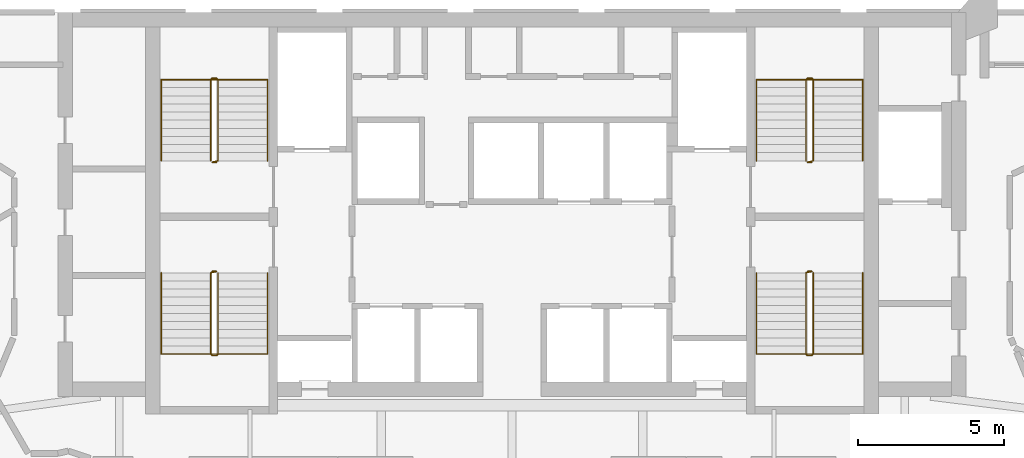
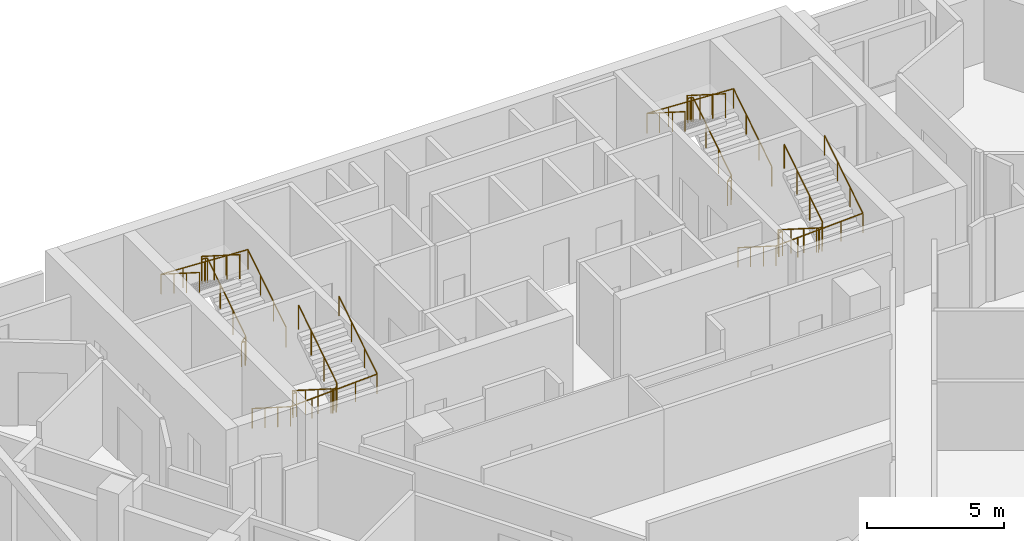
# One storey, part 9 of 9: 8 railings.
"""IFC4 building model written with IfcOpenShell, lengths in metres."""

from ifc_helpers import new_model, si_unit, direction, frame, origin, origin_2d, place, context, subcontext, project, spatial, circle, extrude, material, type_object, element, save


model = new_model("IFC4")

# Units and contexts
model_context = context("Model", 3, precision=1e-05, world=origin(), true_north=direction((0.0, 1.0)))
body_context = subcontext(model_context, "Body", "Model", "MODEL_VIEW")
ifc_project = project(units=[si_unit("LENGTHUNIT", "METRE"), si_unit("AREAUNIT", "SQUARE_METRE"), si_unit("VOLUMEUNIT", "CUBIC_METRE"), si_unit("PLANEANGLEUNIT", "RADIAN"), si_unit("MASSUNIT", "GRAM", prefix="KILO")], contexts=[model_context])

# Site, building, storey
site_placement = place(None, origin())
site = spatial("IfcSite", under=ifc_project, at=site_placement, CompositionType="ELEMENT")
building_placement = place(site_placement, origin())
building = spatial("IfcBuilding", under=site, at=building_placement, Name="Calabash Gate Tower", CompositionType="ELEMENT")
storey_placement = place(building_placement, frame((0.0, 0.0, 168.0)))
storey = spatial("IfcBuildingStorey", under=building, at=storey_placement, Name="L39", CompositionType="ELEMENT", Elevation=168.0)

# Railings
ifc_material_1 = material(Name="Black powder-coated steel balusters", Category="steel")
railing_type_1 = type_object("IfcRailingType", Name="Stair guard RL1100", PredefinedType="GUARDRAIL", material=ifc_material_1)
railing_1_placement = place(storey_placement, frame((-10.14990234375, 13.902587890625, 0.0)))
element("IfcRailing", 1, at=railing_1_placement, inside=storey, type_object=railing_type_1, Name="L39 ST1 stair guard 1", PredefinedType="GUARDRAIL", context=body_context, shape_type="SweptSolid", body=[
    extrude(circle(Radius=0.02392578125, at=origin_2d()), frame((0.0, 0.0, 1.076171875), z_axis=(-1.0, 0.0, 0.0), x_axis=(0.0, -1.0, 0.0)), (0.0, 0.0, 1.0), 0.150146484375),
    extrude(circle(Radius=0.02392578125, at=origin_2d()), frame((-0.150146484375, 0.0, 1.076171875), z_axis=(0.735524641326, 0.184105679453, 0.652003528208), x_axis=(-0.242814311512, 0.970072785993, 0.0)), (0.0, 0.0, 1.0), 0.271728515625),
    extrude(circle(Radius=0.02392578125, at=origin_2d()), frame((0.0498046875, 0.050048828125, 1.25341796875), z_axis=(0.0, 0.844041424197, 0.536277982245), x_axis=(-1.0, 0.0, 0.0)), (0.0, 0.0, 1.0), 3.3056640625),
    extrude(circle(Radius=0.02392578125, at=origin_2d()), frame((0.0498046875, 2.840087890625, 3.02587890625), z_axis=(-0.707106781187, 0.707106781187, 0.0), x_axis=(-0.707106781187, -0.707106781187, 0.0)), (0.0, 0.0, 1.0), 0.0703125),
    extrude(circle(Radius=0.02392578125, at=origin_2d()), frame((0.0, 2.889892578125, 3.02587890625), z_axis=(-1.0, 0.0, 0.0), x_axis=(0.0, -1.0, 0.0)), (0.0, 0.0, 1.0), 0.150146484375),
    extrude(circle(Radius=0.02392578125, at=origin_2d()), frame((-0.150146484375, 2.889892578125, 3.02587890625), z_axis=(-0.262321481514, -0.261041864531, 0.929001929653), x_axis=(0.705375805398, -0.708833529934, 0.0)), (0.0, 0.0, 1.0), 0.190673828125),
    extrude(circle(Radius=0.02392578125, at=origin_2d()), frame((-0.2001953125, 2.840087890625, 3.203125), z_axis=(0.0, -0.844041424197, 0.536277982245), x_axis=(1.0, 0.0, 0.0)), (0.0, 0.0, 1.0), 3.3056640625),
    extrude(circle(Radius=0.02099609375, at=origin_2d()), origin(), (0.0, 0.0, 1.0), 1.052001953125),
    extrude(circle(Radius=0.02099609375, at=origin_2d()), frame((-0.150146484375, 0.0, 0.0)), (0.0, 0.0, 1.0), 1.052001953125),
    extrude(circle(Radius=0.02099609375, at=origin_2d()), frame((0.0498046875, 0.050048828125, 0.17724609375)), (0.0, 0.0, 1.0), 1.052001953125),
    extrude(circle(Radius=0.02099609375, at=origin_2d()), frame((0.0498046875, 0.97998046875, 0.76806640625)), (0.0, 0.0, 1.0), 1.052001953125),
    extrude(circle(Radius=0.02099609375, at=origin_2d()), frame((0.0498046875, 1.91015625, 1.359130859375)), (0.0, 0.0, 1.0), 1.052001953125),
    extrude(circle(Radius=0.02099609375, at=origin_2d()), frame((0.0498046875, 2.840087890625, 1.949951171875)), (0.0, 0.0, 1.0), 1.052001953125),
    extrude(circle(Radius=0.02099609375, at=origin_2d()), frame((0.0, 2.889892578125, 1.949951171875)), (0.0, 0.0, 1.0), 1.052001953125),
    extrude(circle(Radius=0.02099609375, at=origin_2d()), frame((-0.150146484375, 2.889892578125, 1.949951171875)), (0.0, 0.0, 1.0), 1.052001953125),
    extrude(circle(Radius=0.02099609375, at=origin_2d()), frame((-0.2001953125, 2.840087890625, 2.127197265625)), (0.0, 0.0, 1.0), 1.052001953125),
    extrude(circle(Radius=0.02099609375, at=origin_2d()), frame((-0.2001953125, 1.91015625, 2.718017578125)), (0.0, 0.0, 1.0), 1.052001953125),
    extrude(circle(Radius=0.02099609375, at=origin_2d()), frame((-0.2001953125, 0.97998046875, 3.30908203125)), (0.0, 0.0, 1.0), 1.052001953125),
    extrude(circle(Radius=0.02099609375, at=origin_2d()), frame((-0.2001953125, 0.050048828125, 3.89990234375)), (0.0, 0.0, 1.0), 1.052001953125),
])
railing_2_placement = place(storey_placement, frame((-10.300048828125, 10.152587890625, 0.0)))
element("IfcRailing", 2, at=railing_2_placement, inside=storey, type_object=railing_type_1, Name="L39 ST2 stair guard 1", PredefinedType="GUARDRAIL", context=body_context, shape_type="SweptSolid", body=[
    extrude(circle(Radius=0.02392578125, at=origin_2d()), frame((0.0, 0.0, 1.076171875), z_axis=(1.0, 0.0, 0.0), x_axis=(0.0, 1.0, 0.0)), (0.0, 0.0, 1.0), 0.150146484375),
    extrude(circle(Radius=0.02392578125, at=origin_2d()), frame((0.150146484375, 0.0, 1.076171875), z_axis=(-0.735936453418, -0.183984113355, 0.651573006319), x_axis=(0.242535625036, -0.970142500145, 0.0)), (0.0, 0.0, 1.0), 0.27197265625),
    extrude(circle(Radius=0.02392578125, at=origin_2d()), frame((-0.050048828125, -0.050048828125, 1.25341796875), z_axis=(0.0, -0.844041424197, 0.536277982245), x_axis=(1.0, 0.0, 0.0)), (0.0, 0.0, 1.0), 3.3056640625),
    extrude(circle(Radius=0.02392578125, at=origin_2d()), frame((-0.050048828125, -2.840087890625, 3.02587890625), z_axis=(0.708833529934, -0.705375805398, 0.0), x_axis=(0.705375805398, 0.708833529934, 0.0)), (0.0, 0.0, 1.0), 0.070556640625),
    extrude(circle(Radius=0.02392578125, at=origin_2d()), frame((0.0, -2.889892578125, 3.02587890625), z_axis=(1.0, 0.0, 0.0), x_axis=(0.0, 1.0, 0.0)), (0.0, 0.0, 1.0), 0.150146484375),
    extrude(circle(Radius=0.02392578125, at=origin_2d()), frame((0.150146484375, -2.889892578125, 3.02587890625), z_axis=(0.261129318932, 0.261129318932, 0.929313164433), x_axis=(-0.707106781187, 0.707106781187, 0.0)), (0.0, 0.0, 1.0), 0.190673828125),
    extrude(circle(Radius=0.02392578125, at=origin_2d()), frame((0.199951171875, -2.840087890625, 3.203125), z_axis=(0.0, 0.844041424197, 0.536277982245), x_axis=(-1.0, 0.0, 0.0)), (0.0, 0.0, 1.0), 3.3056640625),
    extrude(circle(Radius=0.02099609375, at=origin_2d()), origin(), (0.0, 0.0, 1.0), 1.052001953125),
    extrude(circle(Radius=0.02099609375, at=origin_2d()), frame((0.150146484375, 0.0, 0.0)), (0.0, 0.0, 1.0), 1.052001953125),
    extrude(circle(Radius=0.02099609375, at=origin_2d()), frame((-0.050048828125, -0.050048828125, 0.17724609375)), (0.0, 0.0, 1.0), 1.052001953125),
    extrude(circle(Radius=0.02099609375, at=origin_2d()), frame((-0.050048828125, -0.97998046875, 0.76806640625)), (0.0, 0.0, 1.0), 1.052001953125),
    extrude(circle(Radius=0.02099609375, at=origin_2d()), frame((-0.050048828125, -1.91015625, 1.359130859375)), (0.0, 0.0, 1.0), 1.052001953125),
    extrude(circle(Radius=0.02099609375, at=origin_2d()), frame((-0.050048828125, -2.840087890625, 1.949951171875)), (0.0, 0.0, 1.0), 1.052001953125),
    extrude(circle(Radius=0.02099609375, at=origin_2d()), frame((0.0, -2.889892578125, 1.949951171875)), (0.0, 0.0, 1.0), 1.052001953125),
    extrude(circle(Radius=0.02099609375, at=origin_2d()), frame((0.150146484375, -2.889892578125, 1.949951171875)), (0.0, 0.0, 1.0), 1.052001953125),
    extrude(circle(Radius=0.02099609375, at=origin_2d()), frame((0.199951171875, -2.840087890625, 2.127197265625)), (0.0, 0.0, 1.0), 1.052001953125),
    extrude(circle(Radius=0.02099609375, at=origin_2d()), frame((0.199951171875, -1.91015625, 2.718017578125)), (0.0, 0.0, 1.0), 1.052001953125),
    extrude(circle(Radius=0.02099609375, at=origin_2d()), frame((0.199951171875, -0.97998046875, 3.30908203125)), (0.0, 0.0, 1.0), 1.052001953125),
    extrude(circle(Radius=0.02099609375, at=origin_2d()), frame((0.199951171875, -0.050048828125, 3.89990234375)), (0.0, 0.0, 1.0), 1.052001953125),
])
railing_3_placement = place(storey_placement, frame((10.300048828125, 13.902587890625, 0.0)))
element("IfcRailing", 3, at=railing_3_placement, inside=storey, type_object=railing_type_1, Name="L39 ST3 stair guard 1", PredefinedType="GUARDRAIL", context=body_context, shape_type="SweptSolid", body=[
    extrude(circle(Radius=0.02392578125, at=origin_2d()), frame((0.0, 0.0, 1.076171875), z_axis=(-1.0, 0.0, 0.0), x_axis=(0.0, -1.0, 0.0)), (0.0, 0.0, 1.0), 0.150146484375),
    extrude(circle(Radius=0.02392578125, at=origin_2d()), frame((-0.150146484375, 0.0, 1.076171875), z_axis=(0.735936453418, 0.183984113355, 0.651573006319), x_axis=(-0.242535625036, 0.970142500145, 0.0)), (0.0, 0.0, 1.0), 0.27197265625),
    extrude(circle(Radius=0.02392578125, at=origin_2d()), frame((0.050048828125, 0.050048828125, 1.25341796875), z_axis=(0.0, 0.844041424197, 0.536277982245), x_axis=(-1.0, 0.0, 0.0)), (0.0, 0.0, 1.0), 3.3056640625),
    extrude(circle(Radius=0.02392578125, at=origin_2d()), frame((0.050048828125, 2.840087890625, 3.02587890625), z_axis=(-0.708833529934, 0.705375805398, 0.0), x_axis=(-0.705375805398, -0.708833529934, 0.0)), (0.0, 0.0, 1.0), 0.070556640625),
    extrude(circle(Radius=0.02392578125, at=origin_2d()), frame((0.0, 2.889892578125, 3.02587890625), z_axis=(-1.0, 0.0, 0.0), x_axis=(0.0, -1.0, 0.0)), (0.0, 0.0, 1.0), 0.150146484375),
    extrude(circle(Radius=0.02392578125, at=origin_2d()), frame((-0.150146484375, 2.889892578125, 3.02587890625), z_axis=(-0.261129318932, -0.261129318932, 0.929313164433), x_axis=(0.707106781187, -0.707106781187, 0.0)), (0.0, 0.0, 1.0), 0.190673828125),
    extrude(circle(Radius=0.02392578125, at=origin_2d()), frame((-0.199951171875, 2.840087890625, 3.203125), z_axis=(0.0, -0.844041424197, 0.536277982245), x_axis=(1.0, 0.0, 0.0)), (0.0, 0.0, 1.0), 3.3056640625),
    extrude(circle(Radius=0.02099609375, at=origin_2d()), origin(), (0.0, 0.0, 1.0), 1.052001953125),
    extrude(circle(Radius=0.02099609375, at=origin_2d()), frame((-0.150146484375, 0.0, 0.0)), (0.0, 0.0, 1.0), 1.052001953125),
    extrude(circle(Radius=0.02099609375, at=origin_2d()), frame((0.050048828125, 0.050048828125, 0.17724609375)), (0.0, 0.0, 1.0), 1.052001953125),
    extrude(circle(Radius=0.02099609375, at=origin_2d()), frame((0.050048828125, 0.97998046875, 0.76806640625)), (0.0, 0.0, 1.0), 1.052001953125),
    extrude(circle(Radius=0.02099609375, at=origin_2d()), frame((0.050048828125, 1.91015625, 1.359130859375)), (0.0, 0.0, 1.0), 1.052001953125),
    extrude(circle(Radius=0.02099609375, at=origin_2d()), frame((0.050048828125, 2.840087890625, 1.949951171875)), (0.0, 0.0, 1.0), 1.052001953125),
    extrude(circle(Radius=0.02099609375, at=origin_2d()), frame((0.0, 2.889892578125, 1.949951171875)), (0.0, 0.0, 1.0), 1.052001953125),
    extrude(circle(Radius=0.02099609375, at=origin_2d()), frame((-0.150146484375, 2.889892578125, 1.949951171875)), (0.0, 0.0, 1.0), 1.052001953125),
    extrude(circle(Radius=0.02099609375, at=origin_2d()), frame((-0.199951171875, 2.840087890625, 2.127197265625)), (0.0, 0.0, 1.0), 1.052001953125),
    extrude(circle(Radius=0.02099609375, at=origin_2d()), frame((-0.199951171875, 1.91015625, 2.718017578125)), (0.0, 0.0, 1.0), 1.052001953125),
    extrude(circle(Radius=0.02099609375, at=origin_2d()), frame((-0.199951171875, 0.97998046875, 3.30908203125)), (0.0, 0.0, 1.0), 1.052001953125),
    extrude(circle(Radius=0.02099609375, at=origin_2d()), frame((-0.199951171875, 0.050048828125, 3.89990234375)), (0.0, 0.0, 1.0), 1.052001953125),
])
railing_4_placement = place(storey_placement, frame((10.14990234375, 10.152587890625, 0.0)))
element("IfcRailing", 4, at=railing_4_placement, inside=storey, type_object=railing_type_1, Name="L39 ST4 stair guard 1", PredefinedType="GUARDRAIL", context=body_context, shape_type="SweptSolid", body=[
    extrude(circle(Radius=0.02392578125, at=origin_2d()), frame((0.0, 0.0, 1.076171875), z_axis=(1.0, 0.0, 0.0), x_axis=(0.0, 1.0, 0.0)), (0.0, 0.0, 1.0), 0.150146484375),
    extrude(circle(Radius=0.02392578125, at=origin_2d()), frame((0.150146484375, 0.0, 1.076171875), z_axis=(-0.735524641326, -0.184105679453, 0.652003528208), x_axis=(0.242814311512, -0.970072785993, 0.0)), (0.0, 0.0, 1.0), 0.271728515625),
    extrude(circle(Radius=0.02392578125, at=origin_2d()), frame((-0.0498046875, -0.050048828125, 1.25341796875), z_axis=(0.0, -0.844041424197, 0.536277982245), x_axis=(1.0, 0.0, 0.0)), (0.0, 0.0, 1.0), 3.3056640625),
    extrude(circle(Radius=0.02392578125, at=origin_2d()), frame((-0.0498046875, -2.840087890625, 3.02587890625), z_axis=(0.707106781187, -0.707106781187, 0.0), x_axis=(0.707106781187, 0.707106781187, 0.0)), (0.0, 0.0, 1.0), 0.0703125),
    extrude(circle(Radius=0.02392578125, at=origin_2d()), frame((0.0, -2.889892578125, 3.02587890625), z_axis=(1.0, 0.0, 0.0), x_axis=(0.0, 1.0, 0.0)), (0.0, 0.0, 1.0), 0.150146484375),
    extrude(circle(Radius=0.02392578125, at=origin_2d()), frame((0.150146484375, -2.889892578125, 3.02587890625), z_axis=(0.262321481514, 0.261041864531, 0.929001929653), x_axis=(-0.705375805398, 0.708833529934, 0.0)), (0.0, 0.0, 1.0), 0.190673828125),
    extrude(circle(Radius=0.02392578125, at=origin_2d()), frame((0.2001953125, -2.840087890625, 3.203125), z_axis=(0.0, 0.844041424197, 0.536277982245), x_axis=(-1.0, 0.0, 0.0)), (0.0, 0.0, 1.0), 3.3056640625),
    extrude(circle(Radius=0.02099609375, at=origin_2d()), origin(), (0.0, 0.0, 1.0), 1.052001953125),
    extrude(circle(Radius=0.02099609375, at=origin_2d()), frame((0.150146484375, 0.0, 0.0)), (0.0, 0.0, 1.0), 1.052001953125),
    extrude(circle(Radius=0.02099609375, at=origin_2d()), frame((-0.0498046875, -0.050048828125, 0.17724609375)), (0.0, 0.0, 1.0), 1.052001953125),
    extrude(circle(Radius=0.02099609375, at=origin_2d()), frame((-0.0498046875, -0.97998046875, 0.76806640625)), (0.0, 0.0, 1.0), 1.052001953125),
    extrude(circle(Radius=0.02099609375, at=origin_2d()), frame((-0.0498046875, -1.91015625, 1.359130859375)), (0.0, 0.0, 1.0), 1.052001953125),
    extrude(circle(Radius=0.02099609375, at=origin_2d()), frame((-0.0498046875, -2.840087890625, 1.949951171875)), (0.0, 0.0, 1.0), 1.052001953125),
    extrude(circle(Radius=0.02099609375, at=origin_2d()), frame((0.0, -2.889892578125, 1.949951171875)), (0.0, 0.0, 1.0), 1.052001953125),
    extrude(circle(Radius=0.02099609375, at=origin_2d()), frame((0.150146484375, -2.889892578125, 1.949951171875)), (0.0, 0.0, 1.0), 1.052001953125),
    extrude(circle(Radius=0.02099609375, at=origin_2d()), frame((0.2001953125, -2.840087890625, 2.127197265625)), (0.0, 0.0, 1.0), 1.052001953125),
    extrude(circle(Radius=0.02099609375, at=origin_2d()), frame((0.2001953125, -1.91015625, 2.718017578125)), (0.0, 0.0, 1.0), 1.052001953125),
    extrude(circle(Radius=0.02099609375, at=origin_2d()), frame((0.2001953125, -0.97998046875, 3.30908203125)), (0.0, 0.0, 1.0), 1.052001953125),
    extrude(circle(Radius=0.02099609375, at=origin_2d()), frame((0.2001953125, -0.050048828125, 3.89990234375)), (0.0, 0.0, 1.0), 1.052001953125),
])
ifc_material_2 = material(Name="Black powder-coated steel tube 48 mm", Category="steel")
railing_type_2 = type_object("IfcRailingType", Name="Stair handrail RL900", PredefinedType="HANDRAIL", material=ifc_material_2)
railing_5_placement = place(storey_placement, frame((-8.39990234375, 13.95263671875, 0.17724609375)))
element("IfcRailing", 5, at=railing_5_placement, inside=storey, type_object=railing_type_2, Name="L39 ST1 stair handrail 1", PredefinedType="HANDRAIL", context=body_context, shape_type="SweptSolid", body=[
    extrude(circle(Radius=0.02392578125, at=origin_2d()), frame((0.0, 0.0, 0.8759765625), z_axis=(0.0, 0.844041424197, 0.536277982245), x_axis=(-1.0, 0.0, 0.0)), (0.0, 0.0, 1.0), 3.3056640625),
    extrude(circle(Radius=0.02392578125, at=origin_2d()), frame((0.0, 2.7900390625, 2.6484375), z_axis=(-0.998823110844, 0.0, 0.048501476722), x_axis=(0.0, -1.0, 0.0)), (0.0, 0.0, 1.0), 3.654541015625),
    extrude(circle(Radius=0.02392578125, at=origin_2d()), frame((-3.650146484375, 2.7900390625, 2.82568359375), z_axis=(0.0, -0.844041424197, 0.536277982245), x_axis=(1.0, 0.0, 0.0)), (0.0, 0.0, 1.0), 3.3056640625),
    extrude(circle(Radius=0.02099609375, at=origin_2d()), origin(), (0.0, 0.0, 1.0), 0.851806640625),
    extrude(circle(Radius=0.02099609375, at=origin_2d()), frame((0.0, 0.929931640625, 0.5908203125)), (0.0, 0.0, 1.0), 0.851806640625),
    extrude(circle(Radius=0.02099609375, at=origin_2d()), frame((0.0, 1.860107421875, 1.181884765625)), (0.0, 0.0, 1.0), 0.851806640625),
    extrude(circle(Radius=0.02099609375, at=origin_2d()), frame((0.0, 2.7900390625, 1.772705078125)), (0.0, 0.0, 1.0), 0.851806640625),
    extrude(circle(Radius=0.02099609375, at=origin_2d()), frame((-0.91259765625, 2.7900390625, 1.81689453125)), (0.0, 0.0, 1.0), 0.851806640625),
    extrude(circle(Radius=0.02099609375, at=origin_2d()), frame((-1.8251953125, 2.7900390625, 1.861328125)), (0.0, 0.0, 1.0), 0.851806640625),
    extrude(circle(Radius=0.02099609375, at=origin_2d()), frame((-2.737548828125, 2.7900390625, 1.90576171875)), (0.0, 0.0, 1.0), 0.851806640625),
    extrude(circle(Radius=0.02099609375, at=origin_2d()), frame((-3.650146484375, 2.7900390625, 1.949951171875)), (0.0, 0.0, 1.0), 0.851806640625),
    extrude(circle(Radius=0.02099609375, at=origin_2d()), frame((-3.650146484375, 1.860107421875, 2.540771484375)), (0.0, 0.0, 1.0), 0.851806640625),
    extrude(circle(Radius=0.02099609375, at=origin_2d()), frame((-3.650146484375, 0.929931640625, 3.1318359375)), (0.0, 0.0, 1.0), 0.851806640625),
    extrude(circle(Radius=0.02099609375, at=origin_2d()), frame((-3.650146484375, 0.0, 3.72265625)), (0.0, 0.0, 1.0), 0.851806640625),
])
railing_6_placement = place(storey_placement, frame((-12.050048828125, 10.1025390625, 0.17724609375)))
element("IfcRailing", 6, at=railing_6_placement, inside=storey, type_object=railing_type_2, Name="L39 ST2 stair handrail 1", PredefinedType="HANDRAIL", context=body_context, shape_type="SweptSolid", body=[
    extrude(circle(Radius=0.02392578125, at=origin_2d()), frame((0.0, 0.0, 0.8759765625), z_axis=(0.0, -0.844041424197, 0.536277982245), x_axis=(1.0, 0.0, 0.0)), (0.0, 0.0, 1.0), 3.3056640625),
    extrude(circle(Radius=0.02392578125, at=origin_2d()), frame((0.0, -2.7900390625, 2.6484375), z_axis=(0.998823110844, 0.0, 0.048501476722), x_axis=(0.0, 1.0, 0.0)), (0.0, 0.0, 1.0), 3.654541015625),
    extrude(circle(Radius=0.02392578125, at=origin_2d()), frame((3.650146484375, -2.7900390625, 2.82568359375), z_axis=(0.0, 0.844041424197, 0.536277982245), x_axis=(-1.0, 0.0, 0.0)), (0.0, 0.0, 1.0), 3.3056640625),
    extrude(circle(Radius=0.02099609375, at=origin_2d()), origin(), (0.0, 0.0, 1.0), 0.851806640625),
    extrude(circle(Radius=0.02099609375, at=origin_2d()), frame((0.0, -0.929931640625, 0.5908203125)), (0.0, 0.0, 1.0), 0.851806640625),
    extrude(circle(Radius=0.02099609375, at=origin_2d()), frame((0.0, -1.860107421875, 1.181884765625)), (0.0, 0.0, 1.0), 0.851806640625),
    extrude(circle(Radius=0.02099609375, at=origin_2d()), frame((0.0, -2.7900390625, 1.772705078125)), (0.0, 0.0, 1.0), 0.851806640625),
    extrude(circle(Radius=0.02099609375, at=origin_2d()), frame((0.91259765625, -2.7900390625, 1.81689453125)), (0.0, 0.0, 1.0), 0.851806640625),
    extrude(circle(Radius=0.02099609375, at=origin_2d()), frame((1.8251953125, -2.7900390625, 1.861328125)), (0.0, 0.0, 1.0), 0.851806640625),
    extrude(circle(Radius=0.02099609375, at=origin_2d()), frame((2.737548828125, -2.7900390625, 1.90576171875)), (0.0, 0.0, 1.0), 0.851806640625),
    extrude(circle(Radius=0.02099609375, at=origin_2d()), frame((3.650146484375, -2.7900390625, 1.949951171875)), (0.0, 0.0, 1.0), 0.851806640625),
    extrude(circle(Radius=0.02099609375, at=origin_2d()), frame((3.650146484375, -1.860107421875, 2.540771484375)), (0.0, 0.0, 1.0), 0.851806640625),
    extrude(circle(Radius=0.02099609375, at=origin_2d()), frame((3.650146484375, -0.929931640625, 3.1318359375)), (0.0, 0.0, 1.0), 0.851806640625),
    extrude(circle(Radius=0.02099609375, at=origin_2d()), frame((3.650146484375, 0.0, 3.72265625)), (0.0, 0.0, 1.0), 0.851806640625),
])
railing_7_placement = place(storey_placement, frame((12.050048828125, 13.95263671875, 0.17724609375)))
element("IfcRailing", 7, at=railing_7_placement, inside=storey, type_object=railing_type_2, Name="L39 ST3 stair handrail 1", PredefinedType="HANDRAIL", context=body_context, shape_type="SweptSolid", body=[
    extrude(circle(Radius=0.02392578125, at=origin_2d()), frame((0.0, 0.0, 0.8759765625), z_axis=(0.0, 0.844041424197, 0.536277982245), x_axis=(-1.0, 0.0, 0.0)), (0.0, 0.0, 1.0), 3.3056640625),
    extrude(circle(Radius=0.02392578125, at=origin_2d()), frame((0.0, 2.7900390625, 2.6484375), z_axis=(-0.998823110844, 0.0, 0.048501476722), x_axis=(0.0, -1.0, 0.0)), (0.0, 0.0, 1.0), 3.654541015625),
    extrude(circle(Radius=0.02392578125, at=origin_2d()), frame((-3.650146484375, 2.7900390625, 2.82568359375), z_axis=(0.0, -0.844041424197, 0.536277982245), x_axis=(1.0, 0.0, 0.0)), (0.0, 0.0, 1.0), 3.3056640625),
    extrude(circle(Radius=0.02099609375, at=origin_2d()), origin(), (0.0, 0.0, 1.0), 0.851806640625),
    extrude(circle(Radius=0.02099609375, at=origin_2d()), frame((0.0, 0.929931640625, 0.5908203125)), (0.0, 0.0, 1.0), 0.851806640625),
    extrude(circle(Radius=0.02099609375, at=origin_2d()), frame((0.0, 1.860107421875, 1.181884765625)), (0.0, 0.0, 1.0), 0.851806640625),
    extrude(circle(Radius=0.02099609375, at=origin_2d()), frame((0.0, 2.7900390625, 1.772705078125)), (0.0, 0.0, 1.0), 0.851806640625),
    extrude(circle(Radius=0.02099609375, at=origin_2d()), frame((-0.91259765625, 2.7900390625, 1.81689453125)), (0.0, 0.0, 1.0), 0.851806640625),
    extrude(circle(Radius=0.02099609375, at=origin_2d()), frame((-1.8251953125, 2.7900390625, 1.861328125)), (0.0, 0.0, 1.0), 0.851806640625),
    extrude(circle(Radius=0.02099609375, at=origin_2d()), frame((-2.737548828125, 2.7900390625, 1.90576171875)), (0.0, 0.0, 1.0), 0.851806640625),
    extrude(circle(Radius=0.02099609375, at=origin_2d()), frame((-3.650146484375, 2.7900390625, 1.949951171875)), (0.0, 0.0, 1.0), 0.851806640625),
    extrude(circle(Radius=0.02099609375, at=origin_2d()), frame((-3.650146484375, 1.860107421875, 2.540771484375)), (0.0, 0.0, 1.0), 0.851806640625),
    extrude(circle(Radius=0.02099609375, at=origin_2d()), frame((-3.650146484375, 0.929931640625, 3.1318359375)), (0.0, 0.0, 1.0), 0.851806640625),
    extrude(circle(Radius=0.02099609375, at=origin_2d()), frame((-3.650146484375, 0.0, 3.72265625)), (0.0, 0.0, 1.0), 0.851806640625),
])
railing_8_placement = place(storey_placement, frame((8.39990234375, 10.1025390625, 0.17724609375)))
element("IfcRailing", 8, at=railing_8_placement, inside=storey, type_object=railing_type_2, Name="L39 ST4 stair handrail 1", PredefinedType="HANDRAIL", context=body_context, shape_type="SweptSolid", body=[
    extrude(circle(Radius=0.02392578125, at=origin_2d()), frame((0.0, 0.0, 0.8759765625), z_axis=(0.0, -0.844041424197, 0.536277982245), x_axis=(1.0, 0.0, 0.0)), (0.0, 0.0, 1.0), 3.3056640625),
    extrude(circle(Radius=0.02392578125, at=origin_2d()), frame((0.0, -2.7900390625, 2.6484375), z_axis=(0.998823110844, 0.0, 0.048501476722), x_axis=(0.0, 1.0, 0.0)), (0.0, 0.0, 1.0), 3.654541015625),
    extrude(circle(Radius=0.02392578125, at=origin_2d()), frame((3.650146484375, -2.7900390625, 2.82568359375), z_axis=(0.0, 0.844041424197, 0.536277982245), x_axis=(-1.0, 0.0, 0.0)), (0.0, 0.0, 1.0), 3.3056640625),
    extrude(circle(Radius=0.02099609375, at=origin_2d()), origin(), (0.0, 0.0, 1.0), 0.851806640625),
    extrude(circle(Radius=0.02099609375, at=origin_2d()), frame((0.0, -0.929931640625, 0.5908203125)), (0.0, 0.0, 1.0), 0.851806640625),
    extrude(circle(Radius=0.02099609375, at=origin_2d()), frame((0.0, -1.860107421875, 1.181884765625)), (0.0, 0.0, 1.0), 0.851806640625),
    extrude(circle(Radius=0.02099609375, at=origin_2d()), frame((0.0, -2.7900390625, 1.772705078125)), (0.0, 0.0, 1.0), 0.851806640625),
    extrude(circle(Radius=0.02099609375, at=origin_2d()), frame((0.91259765625, -2.7900390625, 1.81689453125)), (0.0, 0.0, 1.0), 0.851806640625),
    extrude(circle(Radius=0.02099609375, at=origin_2d()), frame((1.8251953125, -2.7900390625, 1.861328125)), (0.0, 0.0, 1.0), 0.851806640625),
    extrude(circle(Radius=0.02099609375, at=origin_2d()), frame((2.737548828125, -2.7900390625, 1.90576171875)), (0.0, 0.0, 1.0), 0.851806640625),
    extrude(circle(Radius=0.02099609375, at=origin_2d()), frame((3.650146484375, -2.7900390625, 1.949951171875)), (0.0, 0.0, 1.0), 0.851806640625),
    extrude(circle(Radius=0.02099609375, at=origin_2d()), frame((3.650146484375, -1.860107421875, 2.540771484375)), (0.0, 0.0, 1.0), 0.851806640625),
    extrude(circle(Radius=0.02099609375, at=origin_2d()), frame((3.650146484375, -0.929931640625, 3.1318359375)), (0.0, 0.0, 1.0), 0.851806640625),
    extrude(circle(Radius=0.02099609375, at=origin_2d()), frame((3.650146484375, 0.0, 3.72265625)), (0.0, 0.0, 1.0), 0.851806640625),
])

save(model, "model.ifc")
